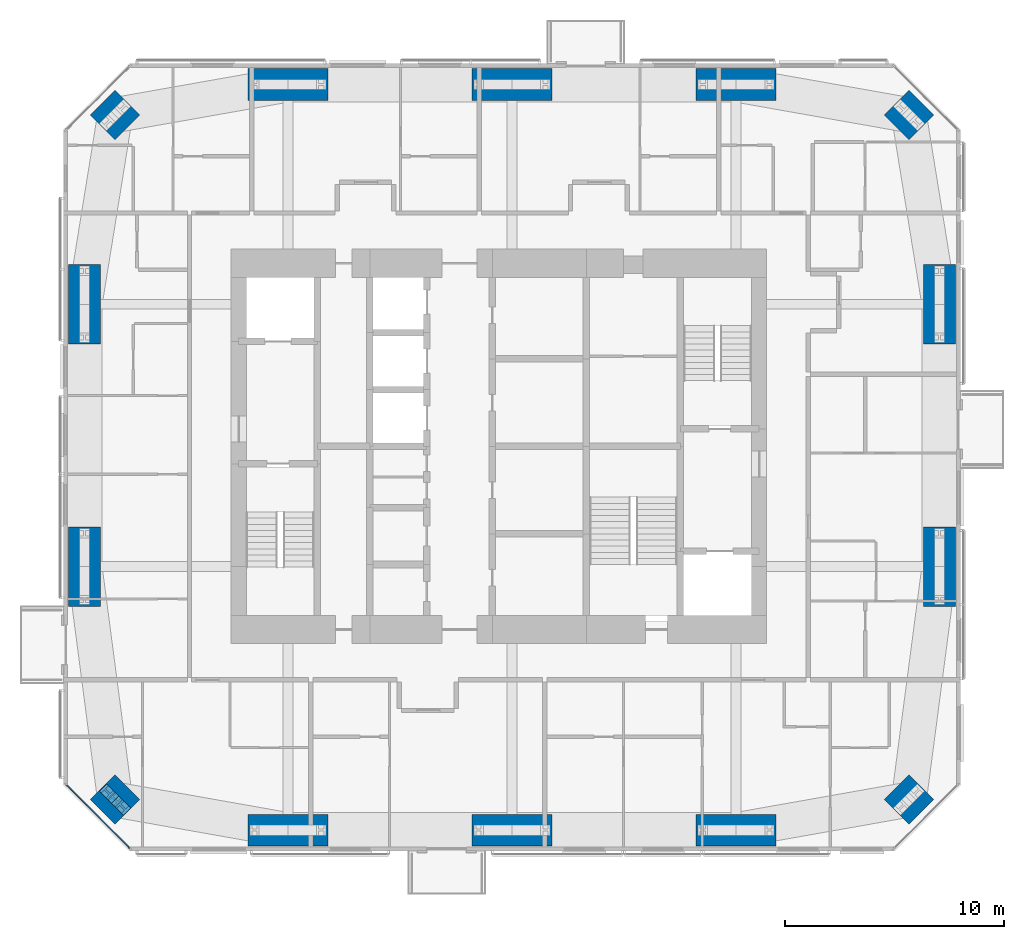
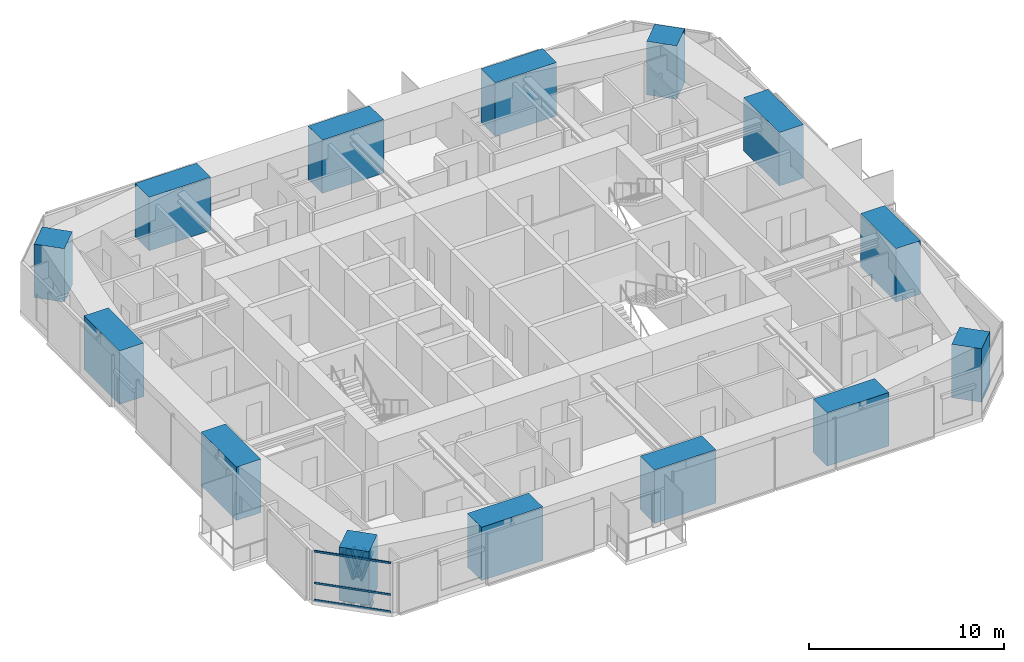
# One storey, part 1 of 23: 14 columns, 7 members, 1 element without a shape of its own.
"""IFC4 building model written with IfcOpenShell, lengths in metres."""

from ifc_helpers import new_model, si_unit, direction, frame, origin, origin_2d, place, context, subcontext, project, spatial, rectangle, i_section, extrude, material, material_profile, profile_set, type_object, element, aggregate, save


model = new_model("IFC4")

# Units and contexts
model_context = context("Model", 3, precision=1e-05, world=origin(), true_north=direction((0.0, 1.0)))
body_context = subcontext(model_context, "Body", "Model", "MODEL_VIEW")
ifc_project = project(units=[si_unit("LENGTHUNIT", "METRE"), si_unit("AREAUNIT", "SQUARE_METRE"), si_unit("VOLUMEUNIT", "CUBIC_METRE"), si_unit("PLANEANGLEUNIT", "RADIAN"), si_unit("MASSUNIT", "GRAM", prefix="KILO")], contexts=[model_context])

# Site, building, storey
site_placement = place(None, origin())
site = spatial("IfcSite", under=ifc_project, at=site_placement, CompositionType="ELEMENT")
building_placement = place(site_placement, origin())
building = spatial("IfcBuilding", under=site, at=building_placement, Name="Jalousie Tower", CompositionType="ELEMENT")
storey_placement = place(building_placement, frame((0.0, 0.0, 187.85009765625)))
storey = spatial("IfcBuildingStorey", under=building, at=storey_placement, Name="L51", CompositionType="ELEMENT", Elevation=187.85009765625)

# Columns
ifc_material_1 = material(Name="Concrete f'c 120 MPa", Category="concrete")
ifc_material_profile_1 = material_profile(ifc_material_1, rectangle(XDim=1.449951171875, YDim=3.64990234375, at=origin_2d()), Name="RC 1450x3650")
ifc_profile_set_1 = profile_set([ifc_material_profile_1], Name="Concrete f'c 120 MPa")
column_type_1 = type_object("IfcColumnType", Name="RC COLUMN 1450x3650", PredefinedType="COLUMN", material=ifc_profile_set_1)
for number, where, z_axis, x_axis, name in (
    (1, (22.25, 0.949951171875, 0.0), (0.0, 0.0, 1.0), (0.0, 1.0, 0.0), "Column 02 L51"),
    (2, (32.5, 0.949951171875, 0.0), (0.0, 0.0, 1.0), (0.0, 1.0, 0.0), "Column 03 L51"),
    (3, (42.75, 0.949951171875, 0.0), (0.0, 0.0, 1.0), (0.0, 1.0, 0.0), "Column 04 L51"),
    (4, (52.050048828125, 13.0, 0.0), (0.0, 0.0, 1.0), (1.0, 0.0, 0.0), "Column 06 L51"),
    (5, (52.050048828125, 25.0, 0.0), (0.0, 0.0, 1.0), (1.0, 0.0, 0.0), "Column 07 L51"),
    (6, (42.75, 35.050048828125, 0.0), (0.0, 0.0, 1.0), (0.0, 1.0, 0.0), "Column 09 L51"),
    (7, (32.5, 35.050048828125, 0.0), (0.0, 0.0, 1.0), (0.0, 1.0, 0.0), "Column 10 L51"),
    (8, (22.25, 35.050048828125, 0.0), (0.0, 0.0, 1.0), (0.0, 1.0, 0.0), "Column 11 L51"),
    (9, (12.949951171875, 25.0, 0.0), (0.0, 0.0, 1.0), (1.0, 0.0, 0.0), "Column 13 L51"),
    (10, (12.949951171875, 13.0, 0.0), (0.0, 0.0, 1.0), (1.0, 0.0, 0.0), "Column 14 L51"),
):
    element("IfcColumn", number, at=place(storey_placement, frame(where, z_axis=z_axis, x_axis=x_axis)), inside=storey, type_object=column_type_1, Name=name, PredefinedType="COLUMN", context=body_context, shape_type="SweptSolid", body=[
        extrude(rectangle(XDim=1.449951171875, YDim=3.64990234375, at=origin_2d()), origin(), (0.0, 0.0, 1.0), 3.349853515625),
    ])
ifc_material_2 = material(Name="Concrete f'c 120 MPa", Category="concrete")
ifc_material_profile_2 = material_profile(ifc_material_2, rectangle(XDim=1.60009765625, YDim=1.60009765625, at=origin_2d()), Name="RC 1600x1600")
ifc_profile_set_2 = profile_set([ifc_material_profile_2], Name="Concrete f'c 120 MPa")
column_type_2 = type_object("IfcColumnType", Name="RC COLUMN 1600x1600", PredefinedType="COLUMN", material=ifc_profile_set_2)
for number, where, z_axis, x_axis, name in (
    (11, (14.348388671875, 2.348388671875, 0.0), (0.0, 0.0, 1.0), (0.707106781187, 0.707106781187, 0.0), "Column 01 L51"),
    (12, (50.651611328125, 2.348388671875, 0.0), (0.0, 0.0, 1.0), (0.707106781187, 0.707106781187, 0.0), "Column 05 L51"),
    (13, (50.651611328125, 33.651611328125, 0.0), (0.0, 0.0, 1.0), (0.707106781187, 0.707106781187, 0.0), "Column 08 L51"),
    (14, (14.348388671875, 33.651611328125, 0.0), (0.0, 0.0, 1.0), (0.707106781187, 0.707106781187, 0.0), "Column 12 L51"),
):
    element("IfcColumn", number, at=place(storey_placement, frame(where, z_axis=z_axis, x_axis=x_axis)), inside=storey, type_object=column_type_2, Name=name, PredefinedType="COLUMN", context=body_context, shape_type="SweptSolid", body=[
        extrude(rectangle(XDim=1.60009765625, YDim=1.60009765625, at=origin_2d()), origin(), (0.0, 0.0, 1.0), 3.349853515625),
    ])

# Curtain wall, members
ifc_material_3 = material(Name="Aluminium curtain wall", Category="aluminium")
curtain_wall_type = type_object("IfcCurtainWallType", Name="CORNER WINDOW WALL", PredefinedType="USERDEFINED", material=ifc_material_3)
curtain_wall_placement = place(storey_placement, origin())
curtain_wall = element("IfcCurtainWall", 15, at=curtain_wall_placement, inside=storey, type_object=curtain_wall_type, Name="Corner Window Wall L51 8", ObjectType="CORNER WINDOW WALL", PredefinedType="USERDEFINED")
ifc_material_4 = material(Name="Aluminium transom", Category="aluminium")
ifc_material_profile_3 = material_profile(ifc_material_4, rectangle(XDim=0.06005859375, YDim=0.1201171875, at=origin_2d()), Name="TRANSOM 60x120")
ifc_profile_set_3 = profile_set([ifc_material_profile_3], Name="Aluminium transom")
member_type_1 = type_object("IfcMemberType", Name="CORNER WINDOW WALL TRANSOM", PredefinedType="USERDEFINED", material=ifc_profile_set_3)
member_1_placement = place(storey_placement, frame((12.1298828125, 3.0087890625, 0.02978515625), z_axis=(0.707106781187, -0.707106781187, 0.0), x_axis=(0.707106781187, 0.707106781187, 0.0)))
member_1 = element("IfcMember", 16, at=member_1_placement, type_object=member_type_1, Name="CW-C transom 1.1", ObjectType="TRANSOM", PredefinedType="USERDEFINED", context=body_context, shape_type="SweptSolid", body=[
    extrude(rectangle(XDim=0.06005859375, YDim=0.1201171875, at=origin_2d()), origin(), (0.0, 0.0, 1.0), 4.0712890625),
])
member_2_placement = place(storey_placement, frame((12.1298828125, 3.0087890625, 1.099853515625), z_axis=(0.707106781187, -0.707106781187, 0.0), x_axis=(0.707106781187, 0.707106781187, 0.0)))
member_2 = element("IfcMember", 17, at=member_2_placement, type_object=member_type_1, Name="CW-C transom 1.2", ObjectType="TRANSOM", PredefinedType="USERDEFINED", context=body_context, shape_type="SweptSolid", body=[
    extrude(rectangle(XDim=0.06005859375, YDim=0.1201171875, at=origin_2d()), origin(), (0.0, 0.0, 1.0), 4.0712890625),
])
member_3_placement = place(storey_placement, frame((12.1298828125, 3.0087890625, 3.079833984375), z_axis=(0.707106781187, -0.707106781187, 0.0), x_axis=(0.707106781187, 0.707106781187, 0.0)))
member_3 = element("IfcMember", 18, at=member_3_placement, type_object=member_type_1, Name="CW-C transom 1.3", ObjectType="TRANSOM", PredefinedType="USERDEFINED", context=body_context, shape_type="SweptSolid", body=[
    extrude(rectangle(XDim=0.06005859375, YDim=0.1201171875, at=origin_2d()), origin(), (0.0, 0.0, 1.0), 4.0712890625),
])
aggregate(curtain_wall, [member_1, member_2, member_3])

# Members
ifc_material_5 = material(Name="Steel ASTM A992 Grade 50", Category="steel")
ifc_material_profile_4 = material_profile(ifc_material_5, i_section(OverallWidth=0.472412109375, OverallDepth=0.5791015625, WebThickness=0.094970703125, FlangeThickness=0.1298828125, at=origin_2d()), Name="W14X808")
ifc_profile_set_4 = profile_set([ifc_material_profile_4], Name="Steel ASTM A992 Grade 50")
member_type_2 = type_object("IfcMemberType", Name="PERIMETER BRACE W14X808", PredefinedType="BRACE", material=ifc_profile_set_4)
for number, where, z_axis, x_axis, name in (
    (19, (13.9951171875, 2.7021484375, -0.60009765625), (0.202092742837, -0.202372069365, 0.958229653493), (0.707594945859, 0.706618279267, 0.0), "Perimeter brace 01 L51 part 1"),
    (20, (14.348388671875, 2.348388671875, 1.074951171875), (0.202372069365, -0.202092742837, 0.958229653493), (0.706618279267, 0.707594945859, 0.0), "Perimeter brace 01 L51 part 2"),
    (21, (14.7021484375, 1.9951171875, -0.60009765625), (-0.202372069365, 0.202092742837, 0.958229653493), (-0.706618279267, -0.707594945859, 0.0), "Perimeter brace 01 L51 part 3"),
    (22, (14.348388671875, 2.348388671875, 1.074951171875), (-0.202092742837, 0.202372069365, 0.958229653493), (-0.707594945859, -0.706618279267, 0.0), "Perimeter brace 01 L51 part 4"),
):
    element("IfcMember", number, at=place(storey_placement, frame(where, z_axis=z_axis, x_axis=x_axis)), inside=storey, type_object=member_type_2, Name=name, PredefinedType="BRACE", context=body_context, shape_type="SweptSolid", body=[
        extrude(i_section(OverallWidth=0.472412109375, OverallDepth=0.5791015625, WebThickness=0.094970703125, FlangeThickness=0.1298828125, at=origin_2d()), origin(), (0.0, 0.0, 1.0), 1.748046875),
    ])

save(model, "model.ifc")
